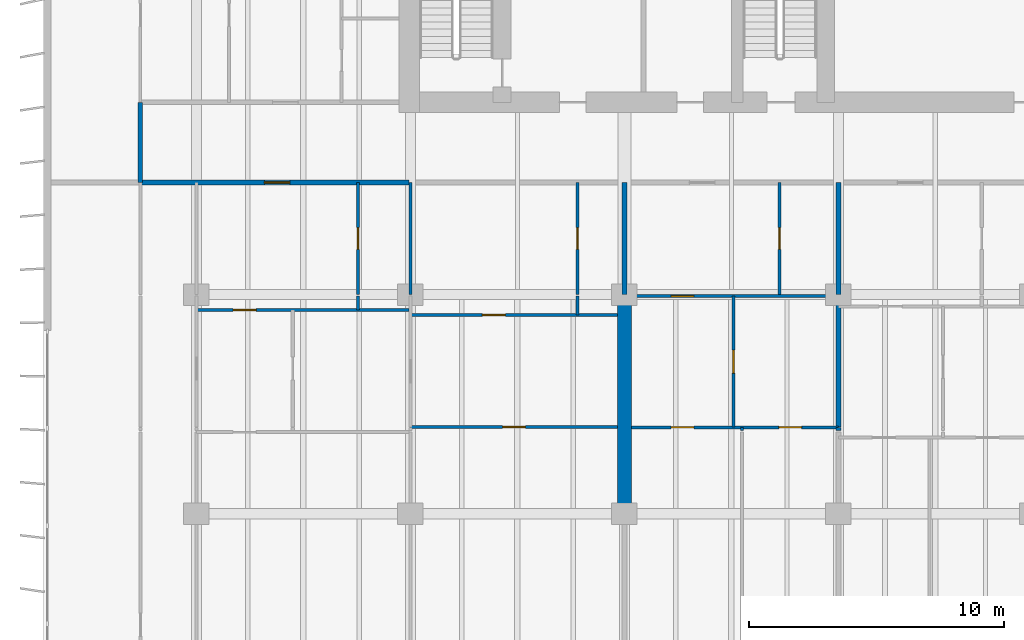
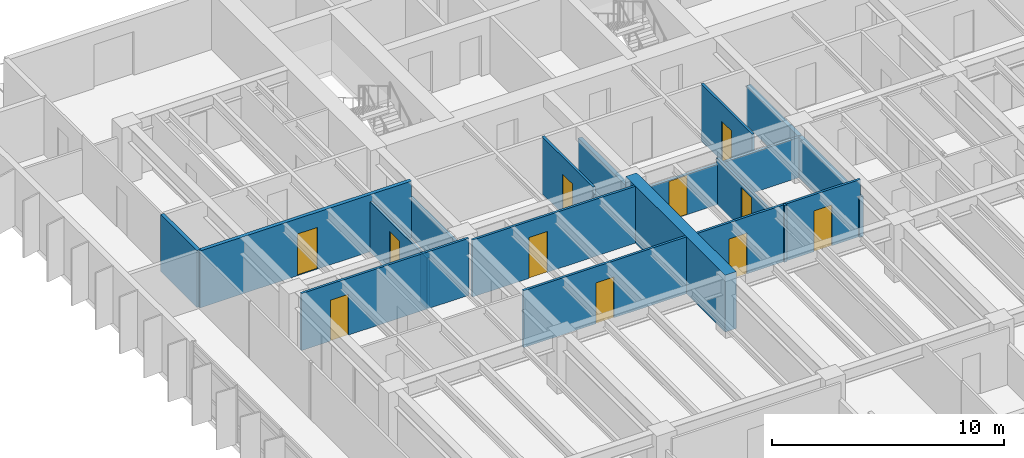
# One storey, part 7 of 19: 20 walls, 11 doors, 11 openings.
"""IFC4 building model written with IfcOpenShell, lengths in metres."""

from ifc_helpers import new_model, si_unit, direction, frame, frame_2d, origin, place, context, subcontext, project, spatial, rectangle, extrude, material, layer, layer_set, type_object, element, fill, save


model = new_model("IFC4")

# Units and contexts
model_context = context("Model", 3, precision=1e-05, world=origin(), true_north=direction((0.0, 1.0)))
body_context = subcontext(model_context, "Body", "Model", "MODEL_VIEW")
ifc_project = project(units=[si_unit("LENGTHUNIT", "METRE"), si_unit("AREAUNIT", "SQUARE_METRE"), si_unit("VOLUMEUNIT", "CUBIC_METRE"), si_unit("PLANEANGLEUNIT", "RADIAN"), si_unit("MASSUNIT", "GRAM", prefix="KILO")], contexts=[model_context])

# Site, building, storey
site_placement = place(None, origin())
site = spatial("IfcSite", under=ifc_project, at=site_placement, CompositionType="ELEMENT")
building_placement = place(site_placement, origin())
building = spatial("IfcBuilding", under=site, at=building_placement, Name="Caelmar Bay Residences", CompositionType="ELEMENT")
storey_placement = place(building_placement, frame((0.0, 0.0, 94.5)))
storey = spatial("IfcBuildingStorey", under=building, at=storey_placement, Name="L25", CompositionType="ELEMENT", Elevation=94.5)

# Walls
ifc_material_1 = material(Name="Concrete f'c 70 MPa (10,000 psi)", Category="concrete")
ifc_layer_1 = layer(ifc_material_1, 0.550048828125)
ifc_layer_set_1 = layer_set([ifc_layer_1], Name="Concrete f'c 70 MPa (10,000 psi)")
wall_type_1 = type_object("IfcWallType", Name="SW-XSLB-550", PredefinedType="SHEAR", material=ifc_layer_set_1)
wall_1_placement = place(storey_placement, frame((26.699951171875, 20.800048828125, 0.0), z_axis=(0.0, 0.0, 1.0), x_axis=(0.0, 1.0, 0.0)))
element("IfcWall", 1, at=wall_1_placement, inside=storey, type_object=wall_type_1, Name="L25 Transverse Cross-Slab Shear Wall W5", PredefinedType="SHEAR", context=body_context, shape_type="SweptSolid", body=[
    extrude(rectangle(XDim=8.599853515625, YDim=0.550048828125, at=frame_2d((4.2998046875, 0.0))), origin(), (0.0, 0.0, 1.0), 3.0),
])
ifc_material_2 = material(Name="Double-stud acoustic fire-rated gypsum partition 180 mm")
ifc_layer_2 = layer(ifc_material_2, 0.179931640625)
ifc_layer_set_2 = layer_set([ifc_layer_2], Name="Double-stud acoustic fire-rated gypsum partition 180 mm")
wall_type_2 = type_object("IfcWallType", Name="W-COR-200", PredefinedType="PARTITIONING", material=ifc_layer_set_2)
wall_2_placement = place(storey_placement, frame((7.699951171875, 33.804931640625, 0.0), z_axis=(0.0, 0.0, 1.0), x_axis=(0.0, 1.0, 0.0)))
element("IfcWall", 2, at=wall_2_placement, inside=storey, type_object=wall_type_2, Name="L25 Partition Wall V005", PredefinedType="PARTITIONING", context=body_context, shape_type="SweptSolid", body=[
    extrude(rectangle(XDim=3.14501953125, YDim=0.179931640625, at=frame_2d((1.572509765625, 0.0))), origin(), (0.0, 0.0, 1.0), 3.0),
])

# Wall, opening, door
wall_3_placement = place(storey_placement, frame((7.705078125, 33.800048828125, 0.0), z_axis=(0.0, 0.0, 1.0), x_axis=(1.0, 0.0, 0.0)))
wall_3 = element("IfcWall", 3, at=wall_3_placement, inside=storey, type_object=wall_type_2, Name="L25 Partition Wall H119", PredefinedType="PARTITIONING", context=body_context, shape_type="SweptSolid", body=[
    extrude(rectangle(XDim=10.544921875, YDim=0.179931640625, at=frame_2d((5.2724609375, 0.0))), origin(), (0.0, 0.0, 1.0), 3.0),
])
opening_1_placement = place(wall_3_placement, frame((4.864990234375, 0.0, 0.0)))
opening_1 = element("IfcOpeningElement", 4, at=opening_1_placement, cuts=wall_3, Name="Opening D-L25-119", PredefinedType="OPENING", context=body_context, shape_type="SweptSolid", body=[
    extrude(rectangle(XDim=1.0, YDim=2.199951171875, at=frame_2d((0.5, 1.10009765625))), frame((0.0, 0.099853515625, 0.0), z_axis=(0.0, -1.0, 0.0), x_axis=(1.0, 0.0, 0.0)), (0.0, 0.0, 1.0), 0.199951171875),
])
ifc_material_3 = material(Name="Fire-rated steel and walnut architectural door assembly", Category="steel")
ifc_layer_3 = layer(ifc_material_3, 0.050048828125)
ifc_layer_set_3 = layer_set([ifc_layer_3], Name="Fire-rated steel and walnut architectural door assembly")
door_type_1 = type_object("IfcDoorType", Name="D-UNIT-1000", OperationType="NOTDEFINED", PredefinedType="DOOR", material=ifc_layer_set_3)
door_1_placement = place(opening_1_placement, origin())
door_1 = element("IfcDoor", 5, at=door_1_placement, inside=storey, type_object=door_type_1, Name="L25 Residence 01 Apartment Hall Door", OperationType="SINGLE_SWING_RIGHT", OverallHeight=2.199951171875, OverallWidth=1.0, PredefinedType="DOOR", context=body_context, shape_type="SweptSolid", body=[
    extrude(rectangle(XDim=1.0, YDim=2.199951171875, at=frame_2d((0.5, 1.10009765625))), frame((0.0, 0.02490234375, 0.0), z_axis=(0.0, -1.0, 0.0), x_axis=(1.0, 0.0, 0.0)), (0.0, 0.0, 1.0), 0.050048828125),
])
fill(opening_1, door_1)

# Wall
ifc_material_4 = material(Name="Acoustic metal-stud gypsum partition 120 mm")
ifc_layer_4 = layer(ifc_material_4, 0.1201171875)
ifc_layer_set_4 = layer_set([ifc_layer_4], Name="Acoustic metal-stud gypsum partition 120 mm")
wall_type_3 = type_object("IfcWallType", Name="W-PRT-120", PredefinedType="PARTITIONING", material=ifc_layer_set_4)
wall_4_placement = place(storey_placement, frame((16.239990234375, 28.800048828125, 0.0), z_axis=(0.0, 0.0, 1.0), x_axis=(0.0, 1.0, 0.0)))
element("IfcWall", 6, at=wall_4_placement, inside=storey, type_object=wall_type_3, Name="L25 Partition Wall V017", PredefinedType="PARTITIONING", context=body_context, shape_type="SweptSolid", body=[
    extrude(rectangle(XDim=0.5400390625, YDim=0.1201171875, at=frame_2d((0.27001953125, 0.0))), origin(), (0.0, 0.0, 1.0), 2.62890625),
])

# Wall, opening, door
wall_5_placement = place(storey_placement, frame((16.239990234375, 29.39990234375, 0.0), z_axis=(0.0, 0.0, 1.0), x_axis=(0.0, 1.0, 0.0)))
wall_5 = element("IfcWall", 7, at=wall_5_placement, inside=storey, type_object=wall_type_3, Name="L25 Partition Wall V018", PredefinedType="PARTITIONING", context=body_context, shape_type="SweptSolid", body=[
    extrude(rectangle(XDim=4.400146484375, YDim=0.1201171875, at=frame_2d((2.2001953125, 0.0))), origin(), (0.0, 0.0, 1.0), 2.62890625),
])
opening_2_placement = place(wall_5_placement, frame((1.77490234375, 0.0, 0.0)))
opening_2 = element("IfcOpeningElement", 8, at=opening_2_placement, cuts=wall_5, Name="Opening D-L25-120", PredefinedType="OPENING", context=body_context, shape_type="SweptSolid", body=[
    extrude(rectangle(XDim=0.85009765625, YDim=2.10009765625, at=frame_2d((0.425048828125, 1.050048828125))), frame((0.0, 0.070068359375, 0.0), z_axis=(0.0, -1.0, 0.0), x_axis=(1.0, 0.0, 0.0)), (0.0, 0.0, 1.0), 0.14013671875),
])
ifc_material_5 = material(Name="Solid walnut timber interior door leaf and frame", Category="wood")
ifc_layer_5 = layer(ifc_material_5, 0.050048828125)
ifc_layer_set_5 = layer_set([ifc_layer_5], Name="Solid walnut timber interior door leaf and frame")
door_type_2 = type_object("IfcDoorType", Name="D-BATH-850", OperationType="NOTDEFINED", PredefinedType="DOOR", material=ifc_layer_set_5)
door_2_placement = place(opening_2_placement, origin())
door_2 = element("IfcDoor", 9, at=door_2_placement, inside=storey, type_object=door_type_2, Name="L25 Residence 01 Guest Bathroom Door", OperationType="SINGLE_SWING_LEFT", OverallHeight=2.10009765625, OverallWidth=0.85009765625, PredefinedType="DOOR", context=body_context, shape_type="SweptSolid", body=[
    extrude(rectangle(XDim=0.85009765625, YDim=2.10009765625, at=frame_2d((0.425048828125, 1.050048828125))), frame((0.0, 0.02490234375, 0.0), z_axis=(0.0, -1.0, 0.0), x_axis=(1.0, 0.0, 0.0)), (0.0, 0.0, 1.0), 0.050048828125),
])
fill(opening_2, door_2)

# Walls
wall_6_placement = place(storey_placement, frame((18.300048828125, 29.39990234375, 0.0), z_axis=(0.0, 0.0, 1.0), x_axis=(0.0, 1.0, 0.0)))
element("IfcWall", 10, at=wall_6_placement, inside=storey, type_object=wall_type_3, Name="L25 Partition Wall V023", PredefinedType="PARTITIONING", context=body_context, shape_type="SweptSolid", body=[
    extrude(rectangle(XDim=4.400146484375, YDim=0.1201171875, at=frame_2d((2.2001953125, 0.0))), origin(), (0.0, 0.0, 1.0), 2.1240234375),
])
wall_7_placement = place(storey_placement, frame((24.85400390625, 28.60009765625, 0.0), z_axis=(0.0, 0.0, 1.0), x_axis=(0.0, 1.0, 0.0)))
element("IfcWall", 11, at=wall_7_placement, inside=storey, type_object=wall_type_3, Name="L25 Partition Wall V025", PredefinedType="PARTITIONING", context=body_context, shape_type="SweptSolid", body=[
    extrude(rectangle(XDim=0.739990234375, YDim=0.1201171875, at=frame_2d((0.3701171875, 0.0))), origin(), (0.0, 0.0, 1.0), 2.62890625),
])

# Wall, opening, door
wall_8_placement = place(storey_placement, frame((24.85400390625, 29.39990234375, 0.0), z_axis=(0.0, 0.0, 1.0), x_axis=(0.0, 1.0, 0.0)))
wall_8 = element("IfcWall", 12, at=wall_8_placement, inside=storey, type_object=wall_type_3, Name="L25 Partition Wall V026", PredefinedType="PARTITIONING", context=body_context, shape_type="SweptSolid", body=[
    extrude(rectangle(XDim=4.400146484375, YDim=0.1201171875, at=frame_2d((2.2001953125, 0.0))), origin(), (0.0, 0.0, 1.0), 3.0),
])
opening_3_placement = place(wall_8_placement, frame((1.77490234375, 0.0, 0.0)))
opening_3 = element("IfcOpeningElement", 13, at=opening_3_placement, cuts=wall_8, Name="Opening D-L25-126", PredefinedType="OPENING", context=body_context, shape_type="SweptSolid", body=[
    extrude(rectangle(XDim=0.85009765625, YDim=2.10009765625, at=frame_2d((0.425048828125, 1.050048828125))), frame((0.0, 0.070068359375, 0.0), z_axis=(0.0, -1.0, 0.0), x_axis=(1.0, 0.0, 0.0)), (0.0, 0.0, 1.0), 0.14013671875),
])
door_3_placement = place(opening_3_placement, origin())
door_3 = element("IfcDoor", 14, at=door_3_placement, inside=storey, type_object=door_type_2, Name="L25 Residence 01 En-Suite Bathroom 1 Door", OperationType="SINGLE_SWING_LEFT", OverallHeight=2.10009765625, OverallWidth=0.85009765625, PredefinedType="DOOR", context=body_context, shape_type="SweptSolid", body=[
    extrude(rectangle(XDim=0.85009765625, YDim=2.10009765625, at=frame_2d((0.425048828125, 1.050048828125))), frame((0.0, 0.02490234375, 0.0), z_axis=(0.0, -1.0, 0.0), x_axis=(1.0, 0.0, 0.0)), (0.0, 0.0, 1.0), 0.050048828125),
])
fill(opening_3, door_3)

wall_9_placement = place(storey_placement, frame((30.986083984375, 24.199951171875, 0.0), z_axis=(0.0, 0.0, 1.0), x_axis=(0.0, 1.0, 0.0)))
wall_9 = element("IfcWall", 15, at=wall_9_placement, inside=storey, type_object=wall_type_3, Name="L25 Partition Wall V033", PredefinedType="PARTITIONING", context=body_context, shape_type="SweptSolid", body=[
    extrude(rectangle(XDim=5.14013671875, YDim=0.1201171875, at=frame_2d((2.570068359375, 0.0))), origin(), (0.0, 0.0, 1.0), 2.43603515625),
])
opening_4_placement = place(wall_9_placement, frame((2.1201171875, 0.0, 0.0)))
opening_4 = element("IfcOpeningElement", 16, at=opening_4_placement, cuts=wall_9, Name="Opening D-L25-133", PredefinedType="OPENING", context=body_context, shape_type="SweptSolid", body=[
    extrude(rectangle(XDim=0.89990234375, YDim=2.14990234375, at=frame_2d((0.449951171875, 1.074951171875))), frame((0.0, 0.070068359375, 0.0), z_axis=(0.0, -1.0, 0.0), x_axis=(1.0, 0.0, 0.0)), (0.0, 0.0, 1.0), 0.14013671875),
])
ifc_layer_6 = layer(ifc_material_5, 0.050048828125)
ifc_layer_set_6 = layer_set([ifc_layer_6], Name="Solid walnut timber interior door leaf and frame")
door_type_3 = type_object("IfcDoorType", Name="D-ROOM-900", OperationType="NOTDEFINED", PredefinedType="DOOR", material=ifc_layer_set_6)
door_4_placement = place(opening_4_placement, origin())
door_4 = element("IfcDoor", 17, at=door_4_placement, inside=storey, type_object=door_type_3, Name="L25 Residence 02 Home Office Door", OperationType="SINGLE_SWING_RIGHT", OverallHeight=2.14990234375, OverallWidth=0.89990234375, PredefinedType="DOOR", context=body_context, shape_type="SweptSolid", body=[
    extrude(rectangle(XDim=0.89990234375, YDim=2.14990234375, at=frame_2d((0.449951171875, 1.074951171875))), frame((0.0, 0.02490234375, 0.0), z_axis=(0.0, -1.0, 0.0), x_axis=(1.0, 0.0, 0.0)), (0.0, 0.0, 1.0), 0.050048828125),
])
fill(opening_4, door_4)

# Wall
wall_10_placement = place(storey_placement, frame((31.320068359375, 24.070068359375, 0.0), z_axis=(0.0, 0.0, 1.0), x_axis=(0.0, 1.0, 0.0)))
element("IfcWall", 18, at=wall_10_placement, inside=storey, type_object=wall_type_3, Name="L25 Partition Wall V036", PredefinedType="PARTITIONING", context=body_context, shape_type="SweptSolid", body=[
    extrude(rectangle(XDim=0.119873046875, YDim=0.1201171875, at=frame_2d((0.06005859375, 0.0))), origin(), (0.0, 0.0, 1.0), 3.0),
])

# Wall, opening, door
wall_11_placement = place(storey_placement, frame((32.791015625, 29.39990234375, 0.0), z_axis=(0.0, 0.0, 1.0), x_axis=(0.0, 1.0, 0.0)))
wall_11 = element("IfcWall", 19, at=wall_11_placement, inside=storey, type_object=wall_type_3, Name="L25 Partition Wall V037", PredefinedType="PARTITIONING", context=body_context, shape_type="SweptSolid", body=[
    extrude(rectangle(XDim=4.400146484375, YDim=0.1201171875, at=frame_2d((2.2001953125, 0.0))), origin(), (0.0, 0.0, 1.0), 3.0),
])
opening_5_placement = place(wall_11_placement, frame((1.77490234375, 0.0, 0.0)))
opening_5 = element("IfcOpeningElement", 20, at=opening_5_placement, cuts=wall_11, Name="Opening D-L25-131", PredefinedType="OPENING", context=body_context, shape_type="SweptSolid", body=[
    extrude(rectangle(XDim=0.85009765625, YDim=2.10009765625, at=frame_2d((0.425048828125, 1.050048828125))), frame((0.0, 0.070068359375, 0.0), z_axis=(0.0, -1.0, 0.0), x_axis=(1.0, 0.0, 0.0)), (0.0, 0.0, 1.0), 0.14013671875),
])
door_5_placement = place(opening_5_placement, origin())
door_5 = element("IfcDoor", 21, at=door_5_placement, inside=storey, type_object=door_type_2, Name="L25 Residence 02 Bathroom Door", OperationType="SINGLE_SWING_RIGHT", OverallHeight=2.10009765625, OverallWidth=0.85009765625, PredefinedType="DOOR", context=body_context, shape_type="SweptSolid", body=[
    extrude(rectangle(XDim=0.85009765625, YDim=2.10009765625, at=frame_2d((0.425048828125, 1.050048828125))), frame((0.0, 0.02490234375, 0.0), z_axis=(0.0, -1.0, 0.0), x_axis=(1.0, 0.0, 0.0)), (0.0, 0.0, 1.0), 0.050048828125),
])
fill(opening_5, door_5)

# Wall, openings, doors
wall_12_placement = place(storey_placement, frame((26.969970703125, 24.18994140625, 0.0), z_axis=(0.0, 0.0, 1.0), x_axis=(1.0, 0.0, 0.0)))
wall_12 = element("IfcWall", 22, at=wall_12_placement, inside=storey, type_object=wall_type_3, Name="L25 Partition Wall H108", PredefinedType="PARTITIONING", context=body_context, shape_type="SweptSolid", body=[
    extrude(rectangle(XDim=8.130126953125, YDim=0.1201171875, at=frame_2d((4.06494140625, 0.0))), origin(), (0.0, 0.0, 1.0), 3.0),
])
opening_6_placement = place(wall_12_placement, frame((1.55810546875, 0.0, 0.0)))
opening_6 = element("IfcOpeningElement", 23, at=opening_6_placement, cuts=wall_12, Name="Opening D-L25-134", PredefinedType="OPENING", context=body_context, shape_type="SweptSolid", body=[
    extrude(rectangle(XDim=0.89990234375, YDim=2.14990234375, at=frame_2d((0.449951171875, 1.074951171875))), frame((0.0, 0.070068359375, 0.0), z_axis=(0.0, -1.0, 0.0), x_axis=(1.0, 0.0, 0.0)), (0.0, 0.0, 1.0), 0.14013671875),
])
opening_7_placement = place(wall_12_placement, frame((5.7900390625, 0.0, 0.0)))
opening_7 = element("IfcOpeningElement", 24, at=opening_7_placement, cuts=wall_12, Name="Opening D-L25-135", PredefinedType="OPENING", context=body_context, shape_type="SweptSolid", body=[
    extrude(rectangle(XDim=0.89990234375, YDim=2.14990234375, at=frame_2d((0.449951171875, 1.074951171875))), frame((0.0, 0.070068359375, 0.0), z_axis=(0.0, -1.0, 0.0), x_axis=(1.0, 0.0, 0.0)), (0.0, 0.0, 1.0), 0.14013671875),
])
door_6_placement = place(opening_6_placement, origin())
door_6 = element("IfcDoor", 25, at=door_6_placement, inside=storey, type_object=door_type_3, Name="L25 Residence 02 Penthouse Living Salon Door", OperationType="SINGLE_SWING_LEFT", OverallHeight=2.14990234375, OverallWidth=0.89990234375, PredefinedType="DOOR", context=body_context, shape_type="SweptSolid", body=[
    extrude(rectangle(XDim=0.89990234375, YDim=2.14990234375, at=frame_2d((0.449951171875, 1.074951171875))), frame((0.0, 0.02490234375, 0.0), z_axis=(0.0, -1.0, 0.0), x_axis=(1.0, 0.0, 0.0)), (0.0, 0.0, 1.0), 0.050048828125),
])
fill(opening_6, door_6)
door_7_placement = place(opening_7_placement, origin())
door_7 = element("IfcDoor", 26, at=door_7_placement, inside=storey, type_object=door_type_3, Name="L25 Residence 02 Penthouse Sitting Room Door", OperationType="SINGLE_SWING_RIGHT", OverallHeight=2.14990234375, OverallWidth=0.89990234375, PredefinedType="DOOR", context=body_context, shape_type="SweptSolid", body=[
    extrude(rectangle(XDim=0.89990234375, YDim=2.14990234375, at=frame_2d((0.449951171875, 1.074951171875))), frame((0.0, 0.02490234375, 0.0), z_axis=(0.0, -1.0, 0.0), x_axis=(1.0, 0.0, 0.0)), (0.0, 0.0, 1.0), 0.050048828125),
])
fill(opening_7, door_7)

# Wall, opening, door
wall_13_placement = place(storey_placement, frame((18.300048828125, 24.199951171875, 0.0), z_axis=(0.0, 0.0, 1.0), x_axis=(1.0, 0.0, 0.0)))
wall_13 = element("IfcWall", 27, at=wall_13_placement, inside=storey, type_object=wall_type_3, Name="L25 Partition Wall H109", PredefinedType="PARTITIONING", context=body_context, shape_type="SweptSolid", body=[
    extrude(rectangle(XDim=8.1298828125, YDim=0.1201171875, at=frame_2d((4.06494140625, 0.0))), origin(), (0.0, 0.0, 1.0), 3.0),
])
opening_8_placement = place(wall_13_placement, frame((3.614990234375, 0.0, 0.0)))
opening_8 = element("IfcOpeningElement", 28, at=opening_8_placement, cuts=wall_13, Name="Opening D-L25-127", PredefinedType="OPENING", context=body_context, shape_type="SweptSolid", body=[
    extrude(rectangle(XDim=0.89990234375, YDim=2.14990234375, at=frame_2d((0.449951171875, 1.074951171875))), frame((0.0, 0.070068359375, 0.0), z_axis=(0.0, -1.0, 0.0), x_axis=(1.0, 0.0, 0.0)), (0.0, 0.0, 1.0), 0.14013671875),
])
door_8_placement = place(opening_8_placement, origin())
door_8 = element("IfcDoor", 29, at=door_8_placement, inside=storey, type_object=door_type_3, Name="L25 Residence 01 Penthouse Sitting Salon 1 Door", OperationType="SINGLE_SWING_RIGHT", OverallHeight=2.14990234375, OverallWidth=0.89990234375, PredefinedType="DOOR", context=body_context, shape_type="SweptSolid", body=[
    extrude(rectangle(XDim=0.89990234375, YDim=2.14990234375, at=frame_2d((0.449951171875, 1.074951171875))), frame((0.0, 0.02490234375, 0.0), z_axis=(0.0, -1.0, 0.0), x_axis=(1.0, 0.0, 0.0)), (0.0, 0.0, 1.0), 0.050048828125),
])
fill(opening_8, door_8)

wall_14_placement = place(storey_placement, frame((18.300048828125, 28.60009765625, 0.0), z_axis=(0.0, 0.0, 1.0), x_axis=(1.0, 0.0, 0.0)))
wall_14 = element("IfcWall", 30, at=wall_14_placement, inside=storey, type_object=wall_type_3, Name="L25 Partition Wall H111", PredefinedType="PARTITIONING", context=body_context, shape_type="SweptSolid", body=[
    extrude(rectangle(XDim=8.1298828125, YDim=0.1201171875, at=frame_2d((4.06494140625, 0.0))), origin(), (0.0, 0.0, 1.0), 3.0),
])
opening_9_placement = place(wall_14_placement, frame((2.826904296875, 0.0, 0.0)))
opening_9 = element("IfcOpeningElement", 31, at=opening_9_placement, cuts=wall_14, Name="Opening D-L25-125", PredefinedType="OPENING", context=body_context, shape_type="SweptSolid", body=[
    extrude(rectangle(XDim=0.89990234375, YDim=2.14990234375, at=frame_2d((0.449951171875, 1.074951171875))), frame((0.0, 0.070068359375, 0.0), z_axis=(0.0, -1.0, 0.0), x_axis=(1.0, 0.0, 0.0)), (0.0, 0.0, 1.0), 0.14013671875),
])
door_9_placement = place(opening_9_placement, origin())
door_9 = element("IfcDoor", 32, at=door_9_placement, inside=storey, type_object=door_type_3, Name="L25 Residence 01 Home Office 1 Door", OperationType="SINGLE_SWING_RIGHT", OverallHeight=2.14990234375, OverallWidth=0.89990234375, PredefinedType="DOOR", context=body_context, shape_type="SweptSolid", body=[
    extrude(rectangle(XDim=0.89990234375, YDim=2.14990234375, at=frame_2d((0.449951171875, 1.074951171875))), frame((0.0, 0.02490234375, 0.0), z_axis=(0.0, -1.0, 0.0), x_axis=(1.0, 0.0, 0.0)), (0.0, 0.0, 1.0), 0.050048828125),
])
fill(opening_9, door_9)

wall_15_placement = place(storey_placement, frame((9.89990234375, 28.800048828125, 0.0), z_axis=(0.0, 0.0, 1.0), x_axis=(1.0, 0.0, 0.0)))
wall_15 = element("IfcWall", 33, at=wall_15_placement, inside=storey, type_object=wall_type_3, Name="L25 Partition Wall H113", PredefinedType="PARTITIONING", context=body_context, shape_type="SweptSolid", body=[
    extrude(rectangle(XDim=8.35009765625, YDim=0.1201171875, at=frame_2d((4.175048828125, 0.0))), origin(), (0.0, 0.0, 1.0), 3.0),
])
opening_10_placement = place(wall_15_placement, frame((1.43994140625, 0.0, 0.0)))
opening_10 = element("IfcOpeningElement", 34, at=opening_10_placement, cuts=wall_15, Name="Opening D-L25-121", PredefinedType="OPENING", context=body_context, shape_type="SweptSolid", body=[
    extrude(rectangle(XDim=0.89990234375, YDim=2.14990234375, at=frame_2d((0.449951171875, 1.074951171875))), frame((0.0, 0.070068359375, 0.0), z_axis=(0.0, -1.0, 0.0), x_axis=(1.0, 0.0, 0.0)), (0.0, 0.0, 1.0), 0.14013671875),
])
door_10_placement = place(opening_10_placement, origin())
door_10 = element("IfcDoor", 35, at=door_10_placement, inside=storey, type_object=door_type_3, Name="L25 Residence 01 Dining Room Door", OperationType="SINGLE_SWING_RIGHT", OverallHeight=2.14990234375, OverallWidth=0.89990234375, PredefinedType="DOOR", context=body_context, shape_type="SweptSolid", body=[
    extrude(rectangle(XDim=0.89990234375, YDim=2.14990234375, at=frame_2d((0.449951171875, 1.074951171875))), frame((0.0, 0.02490234375, 0.0), z_axis=(0.0, -1.0, 0.0), x_axis=(1.0, 0.0, 0.0)), (0.0, 0.0, 1.0), 0.050048828125),
])
fill(opening_10, door_10)

wall_16_placement = place(storey_placement, frame((26.969970703125, 29.340087890625, 0.0), z_axis=(0.0, 0.0, 1.0), x_axis=(1.0, 0.0, 0.0)))
wall_16 = element("IfcWall", 36, at=wall_16_placement, inside=storey, type_object=wall_type_3, Name="L25 Partition Wall H117", PredefinedType="PARTITIONING", context=body_context, shape_type="SweptSolid", body=[
    extrude(rectangle(XDim=8.130126953125, YDim=0.1201171875, at=frame_2d((4.06494140625, 0.0))), origin(), (0.0, 0.0, 1.0), 2.1240234375),
])
opening_11_placement = place(wall_16_placement, frame((1.55810546875, 0.0, 0.0)))
opening_11 = element("IfcOpeningElement", 37, at=opening_11_placement, cuts=wall_16, Name="Opening D-L25-132", PredefinedType="OPENING", context=body_context, shape_type="SweptSolid", body=[
    extrude(rectangle(XDim=0.89990234375, YDim=2.073974609375, at=frame_2d((0.449951171875, 1.037109375))), frame((0.0, 0.070068359375, 0.0), z_axis=(0.0, -1.0, 0.0), x_axis=(1.0, 0.0, 0.0)), (0.0, 0.0, 1.0), 0.14013671875),
])
door_11_placement = place(opening_11_placement, origin())
door_11 = element("IfcDoor", 38, at=door_11_placement, inside=storey, type_object=door_type_3, Name="L25 Residence 02 Kitchen Door", OperationType="SINGLE_SWING_LEFT", OverallHeight=2.073974609375, OverallWidth=0.89990234375, PredefinedType="DOOR", context=body_context, shape_type="SweptSolid", body=[
    extrude(rectangle(XDim=0.89990234375, YDim=2.073974609375, at=frame_2d((0.449951171875, 1.037109375))), frame((0.0, 0.02490234375, 0.0), z_axis=(0.0, -1.0, 0.0), x_axis=(1.0, 0.0, 0.0)), (0.0, 0.0, 1.0), 0.050048828125),
])
fill(opening_11, door_11)

# Walls
ifc_material_6 = material(Name="Acoustic twin-stud fire-rated inter-tenancy partition 200 mm")
ifc_layer_7 = layer(ifc_material_6, 0.199951171875)
ifc_layer_set_7 = layer_set([ifc_layer_7], Name="Acoustic twin-stud fire-rated inter-tenancy partition 200 mm")
wall_type_4 = type_object("IfcWallType", Name="W-PTY-200", PredefinedType="PARTITIONING", material=ifc_layer_set_7)
wall_17_placement = place(storey_placement, frame((26.699951171875, 29.405029296875, 0.0), z_axis=(0.0, 0.0, 1.0), x_axis=(0.0, 1.0, 0.0)))
element("IfcWall", 39, at=wall_17_placement, inside=storey, type_object=wall_type_4, Name="L25 Partition Wall V030", PredefinedType="PARTITIONING", context=body_context, shape_type="SweptSolid", body=[
    extrude(rectangle(XDim=4.39501953125, YDim=0.199951171875, at=frame_2d((2.197509765625, 0.0))), origin(), (0.0, 0.0, 1.0), 2.284912109375),
])
wall_18_placement = place(storey_placement, frame((35.10009765625, 24.070068359375, 0.0), z_axis=(0.0, 0.0, 1.0), x_axis=(0.0, 1.0, 0.0)))
element("IfcWall", 40, at=wall_18_placement, inside=storey, type_object=wall_type_4, Name="L25 Partition Wall V040", PredefinedType="PARTITIONING", context=body_context, shape_type="SweptSolid", body=[
    extrude(rectangle(XDim=0.119873046875, YDim=0.199951171875, at=frame_2d((0.06005859375, 0.0))), origin(), (0.0, 0.0, 1.0), 2.1240234375),
])
wall_19_placement = place(storey_placement, frame((35.10009765625, 24.199951171875, 0.0), z_axis=(0.0, 0.0, 1.0), x_axis=(0.0, 1.0, 0.0)))
element("IfcWall", 41, at=wall_19_placement, inside=storey, type_object=wall_type_4, Name="L25 Partition Wall V041", PredefinedType="PARTITIONING", context=body_context, shape_type="SweptSolid", body=[
    extrude(rectangle(XDim=5.14013671875, YDim=0.199951171875, at=frame_2d((2.570068359375, 0.0))), origin(), (0.0, 0.0, 1.0), 2.1240234375),
])
wall_20_placement = place(storey_placement, frame((35.10009765625, 29.39990234375, 0.0), z_axis=(0.0, 0.0, 1.0), x_axis=(0.0, 1.0, 0.0)))
element("IfcWall", 42, at=wall_20_placement, inside=storey, type_object=wall_type_4, Name="L25 Partition Wall V042", PredefinedType="PARTITIONING", context=body_context, shape_type="SweptSolid", body=[
    extrude(rectangle(XDim=4.400146484375, YDim=0.199951171875, at=frame_2d((2.2001953125, 0.0))), origin(), (0.0, 0.0, 1.0), 2.1240234375),
])

save(model, "model.ifc")
